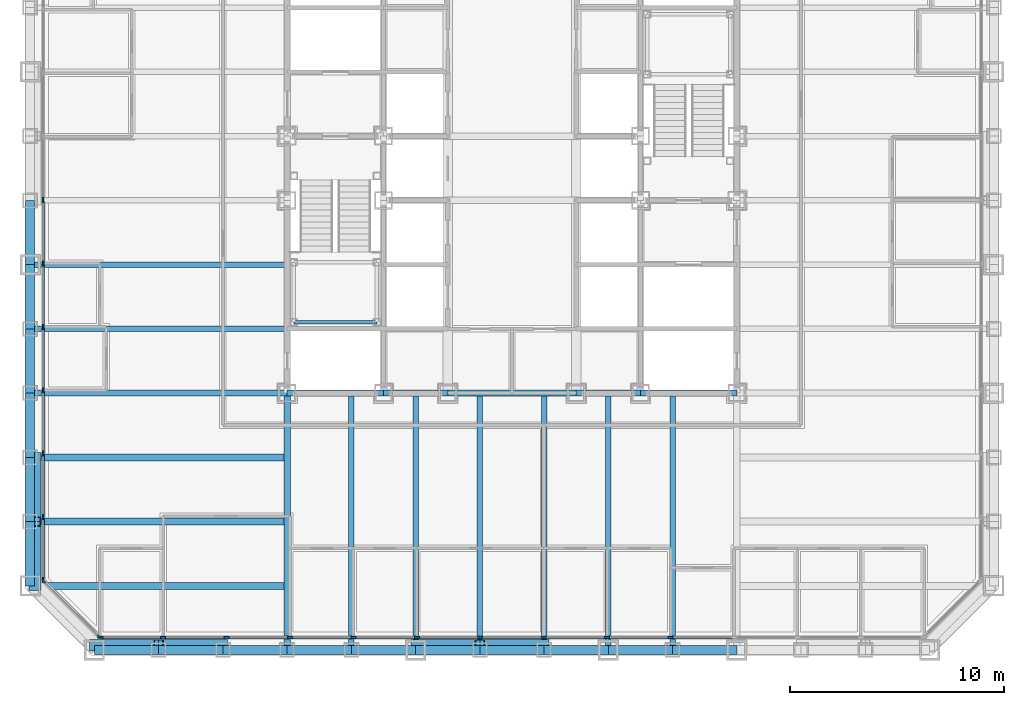
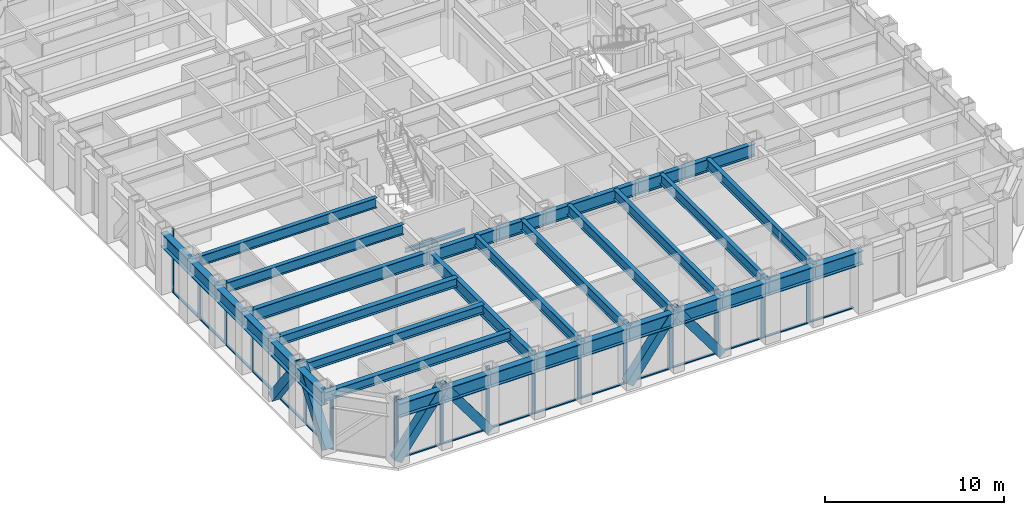
# One storey, part 2 of 16: 41 members, 35 beams, 3 elements without a shape of their own.
"""IFC4 building model written with IfcOpenShell, lengths in metres."""

from ifc_helpers import new_model, si_unit, direction, frame, origin, origin_2d, place, context, subcontext, project, spatial, rectangle, hollow_rectangle, i_section, extrude, material, layer, layer_set, material_profile, profile_set, type_object, element, aggregate, save


model = new_model("IFC4")

# Units and contexts
model_context = context("Model", 3, precision=1e-05, world=origin(), true_north=direction((0.0, 1.0)))
body_context = subcontext(model_context, "Body", "Model", "MODEL_VIEW")
ifc_project = project(units=[si_unit("LENGTHUNIT", "METRE"), si_unit("AREAUNIT", "SQUARE_METRE"), si_unit("VOLUMEUNIT", "CUBIC_METRE"), si_unit("PLANEANGLEUNIT", "RADIAN"), si_unit("MASSUNIT", "GRAM", prefix="KILO")], contexts=[model_context])

# Site, building, storey
site_placement = place(None, origin())
site = spatial("IfcSite", under=ifc_project, at=site_placement, CompositionType="ELEMENT")
building_placement = place(site_placement, origin())
building = spatial("IfcBuilding", under=site, at=building_placement, Name="Chuquiago Exchange Tower", CompositionType="ELEMENT")
storey_placement = place(building_placement, frame((0.0, 0.0, 55.800048828125)))
storey = spatial("IfcBuildingStorey", under=building, at=storey_placement, Name="L11", CompositionType="ELEMENT", Elevation=55.800048828125)

# Beams
ifc_material_1 = material(Name="Steel ASTM A992", Category="steel")
ifc_material_profile_1 = material_profile(ifc_material_1, i_section(OverallWidth=0.2919921875, OverallDepth=0.8583984375, WebThickness=0.01708984375, FlangeThickness=0.031005859375, at=origin_2d()), Name="W33X169")
ifc_profile_set_1 = profile_set([ifc_material_profile_1], Name="Steel ASTM A992")
beam_type_1 = type_object("IfcBeamType", Name="B3 W33X169", PredefinedType="BEAM", material=ifc_profile_set_1)
beam_1_placement = place(storey_placement, frame((12.0, 12.0, 3.610595703125), z_axis=(1.0, 0.0, 0.0), x_axis=(0.0, 1.0, 0.0)))
element("IfcBeam", 1, at=beam_1_placement, inside=storey, type_object=beam_type_1, Name="CB-L12-12_12-16.5_12", PredefinedType="BEAM", context=body_context, shape_type="SweptSolid", body=[
    extrude(i_section(OverallWidth=0.2919921875, OverallDepth=0.8583984375, WebThickness=0.01708984375, FlangeThickness=0.031005859375, at=origin_2d()), origin(), (0.0, 0.0, 1.0), 4.5),
])
beam_2_placement = place(storey_placement, frame((16.5, 12.0, 3.610595703125), z_axis=(1.0, 0.0, 0.0), x_axis=(0.0, 1.0, 0.0)))
element("IfcBeam", 2, at=beam_2_placement, inside=storey, type_object=beam_type_1, Name="CB-L12-16.5_12-19.5_12", PredefinedType="BEAM", context=body_context, shape_type="SweptSolid", body=[
    extrude(i_section(OverallWidth=0.2919921875, OverallDepth=0.8583984375, WebThickness=0.01708984375, FlangeThickness=0.031005859375, at=origin_2d()), origin(), (0.0, 0.0, 1.0), 3.0),
])
beam_3_placement = place(storey_placement, frame((19.5, 12.0, 3.610595703125), z_axis=(1.0, 0.0, 0.0), x_axis=(0.0, 1.0, 0.0)))
element("IfcBeam", 3, at=beam_3_placement, inside=storey, type_object=beam_type_1, Name="CB-L12-19.5_12-25.5_12", PredefinedType="BEAM", context=body_context, shape_type="SweptSolid", body=[
    extrude(i_section(OverallWidth=0.2919921875, OverallDepth=0.8583984375, WebThickness=0.01708984375, FlangeThickness=0.031005859375, at=origin_2d()), origin(), (0.0, 0.0, 1.0), 6.0),
])
beam_4_placement = place(storey_placement, frame((25.5, 12.0, 3.610595703125), z_axis=(1.0, 0.0, 0.0), x_axis=(0.0, 1.0, 0.0)))
element("IfcBeam", 4, at=beam_4_placement, inside=storey, type_object=beam_type_1, Name="CB-L12-25.5_12-28.5_12", PredefinedType="BEAM", context=body_context, shape_type="SweptSolid", body=[
    extrude(i_section(OverallWidth=0.2919921875, OverallDepth=0.8583984375, WebThickness=0.01708984375, FlangeThickness=0.031005859375, at=origin_2d()), origin(), (0.0, 0.0, 1.0), 3.0),
])
beam_5_placement = place(storey_placement, frame((28.5, 12.0, 3.610595703125), z_axis=(1.0, 0.0, 0.0), x_axis=(0.0, 1.0, 0.0)))
element("IfcBeam", 5, at=beam_5_placement, inside=storey, type_object=beam_type_1, Name="CB-L12-28.5_12-33_12", PredefinedType="BEAM", context=body_context, shape_type="SweptSolid", body=[
    extrude(i_section(OverallWidth=0.2919921875, OverallDepth=0.8583984375, WebThickness=0.01708984375, FlangeThickness=0.031005859375, at=origin_2d()), origin(), (0.0, 0.0, 1.0), 4.5),
])
ifc_material_2 = material(Name="Steel ASTM A992", Category="steel")
ifc_material_profile_2 = material_profile(ifc_material_2, i_section(OverallWidth=0.256591796875, OverallDepth=0.693359375, WebThickness=0.014404296875, FlangeThickness=0.023681640625, at=origin_2d()), Name="W27X114")
ifc_profile_set_2 = profile_set([ifc_material_profile_2], Name="Steel ASTM A992")
beam_type_2 = type_object("IfcBeamType", Name="B4 W27X114", PredefinedType="BEAM", material=ifc_profile_set_2)
for number, where, z_axis, x_axis, name in (
    (6, (15.0, 12.0, 3.693359375), (0.0, -1.0, 0.0), (1.0, 0.0, 0.0), "FB-L12-infill-15_12-15_-0-0"),
    (7, (18.0, 12.0, 3.693359375), (0.0, -1.0, 0.0), (1.0, 0.0, 0.0), "FB-L12-infill-18_12-18_-0-0"),
    (8, (21.0, 12.0, 3.693359375), (0.0, -1.0, 0.0), (1.0, 0.0, 0.0), "FB-L12-infill-21_12-21_-0-0"),
    (9, (24.0, 12.0, 3.693359375), (0.0, -1.0, 0.0), (1.0, 0.0, 0.0), "FB-L12-infill-24_12-24_-0-0"),
    (10, (27.0, 12.0, 3.693359375), (0.0, -1.0, 0.0), (1.0, 0.0, 0.0), "FB-L12-infill-27_12-27_-0-0"),
    (11, (30.0, 12.0, 3.693359375), (0.0, -1.0, 0.0), (1.0, 0.0, 0.0), "FB-L12-infill-30_12-30_-0-0"),
    (12, (12.0, 15.0, 3.693359375), (-1.0, 0.0, 0.0), (0.0, -1.0, 0.0), "FB-L12-infill-12_15--0_15-0"),
    (13, (12.0, 18.0, 3.693359375), (-1.0, 0.0, 0.0), (0.0, -1.0, 0.0), "FB-L12-infill-12_18--0_18-0"),
):
    element("IfcBeam", number, at=place(storey_placement, frame(where, z_axis=z_axis, x_axis=x_axis)), inside=storey, type_object=beam_type_2, Name=name, PredefinedType="BEAM", context=body_context, shape_type="SweptSolid", body=[
        extrude(i_section(OverallWidth=0.256591796875, OverallDepth=0.693359375, WebThickness=0.014404296875, FlangeThickness=0.023681640625, at=origin_2d()), origin(), (0.0, 0.0, 1.0), 12.0),
    ])
ifc_material_3 = material(Name="Steel ASTM A992", Category="steel")
ifc_material_profile_3 = material_profile(ifc_material_3, i_section(OverallWidth=0.3251953125, OverallDepth=0.6171875, WebThickness=0.013916015625, FlangeThickness=0.021484375, at=origin_2d()), Name="W24X117")
ifc_profile_set_3 = profile_set([ifc_material_profile_3], Name="Steel ASTM A992")
beam_type_3 = type_object("IfcBeamType", Name="B5 W24X117", PredefinedType="BEAM", material=ifc_profile_set_3)
for number, where, z_axis, x_axis, name in (
    (14, (12.0, 3.0, 3.7314453125), (-1.0, 0.0, 0.0), (0.0, -1.0, 0.0), "FB-L12-corner-12_3--0_3-0"),
    (15, (12.0, 6.0, 3.7314453125), (-1.0, 0.0, 0.0), (0.0, -1.0, 0.0), "FB-L12-corner-12_6--0_6-0"),
    (16, (12.0, 9.0, 3.7314453125), (-1.0, 0.0, 0.0), (0.0, -1.0, 0.0), "FB-L12-corner-12_9--0_9-0"),
):
    element("IfcBeam", number, at=place(storey_placement, frame(where, z_axis=z_axis, x_axis=x_axis)), inside=storey, type_object=beam_type_3, Name=name, PredefinedType="BEAM", context=body_context, shape_type="SweptSolid", body=[
        extrude(i_section(OverallWidth=0.3251953125, OverallDepth=0.6171875, WebThickness=0.013916015625, FlangeThickness=0.021484375, at=origin_2d()), origin(), (0.0, 0.0, 1.0), 12.0),
    ])

# Curtain wall, members
ifc_material_4 = material(Name="Aluminium curtain wall system", Category="aluminium")
ifc_layer_1 = layer(ifc_material_4, 0.25)
ifc_layer_set_1 = layer_set([ifc_layer_1], Name="CW1 trading floor curtain wall")
curtain_wall_type_1 = type_object("IfcCurtainWallType", Name="CW1 trading floor curtain wall", PredefinedType="NOTDEFINED", material=ifc_layer_set_1)
curtain_wall_1_placement = place(storey_placement, origin())
curtain_wall_1 = element("IfcCurtainWall", 17, at=curtain_wall_1_placement, inside=storey, type_object=curtain_wall_type_1, Name="CW1 curtain wall L11", PredefinedType="NOTDEFINED")
ifc_material_5 = material(Name="Aluminium mullion, pale anodised", Category="aluminium")
ifc_material_profile_4 = material_profile(ifc_material_5, rectangle(XDim=0.074951171875, YDim=0.25, at=origin_2d()), Name="AL 75x250")
ifc_profile_set_4 = profile_set([ifc_material_profile_4], Name="Aluminium mullion, pale anodised")
member_type_1 = type_object("IfcMemberType", Name="CW1-M mullion 75x250", PredefinedType="MULLION", material=ifc_profile_set_4)
member_1_placement = place(storey_placement, frame((3.285888671875, 0.60009765625, -0.300048828125), z_axis=(0.0, 0.0, 1.0), x_axis=(0.0, 1.0, 0.0)))
member_1 = element("IfcMember", 18, at=member_1_placement, type_object=member_type_1, Name="CW1 mullion 1", PredefinedType="MULLION", context=body_context, shape_type="SweptSolid", body=[
    extrude(rectangle(XDim=0.074951171875, YDim=0.25, at=origin_2d()), origin(), (0.0, 0.0, 1.0), 4.340087890625),
])
member_2_placement = place(storey_placement, frame((6.210205078125, 0.60009765625, -0.300048828125), z_axis=(0.0, 0.0, 1.0), x_axis=(0.0, 1.0, 0.0)))
member_2 = element("IfcMember", 19, at=member_2_placement, type_object=member_type_1, Name="CW1 mullion 2", PredefinedType="MULLION", context=body_context, shape_type="SweptSolid", body=[
    extrude(rectangle(XDim=0.074951171875, YDim=0.25, at=origin_2d()), origin(), (0.0, 0.0, 1.0), 4.340087890625),
])
member_3_placement = place(storey_placement, frame((9.172119140625, 0.60009765625, -0.300048828125), z_axis=(0.0, 0.0, 1.0), x_axis=(0.0, 1.0, 0.0)))
member_3 = element("IfcMember", 20, at=member_3_placement, type_object=member_type_1, Name="CW1 mullion 3", PredefinedType="MULLION", context=body_context, shape_type="SweptSolid", body=[
    extrude(rectangle(XDim=0.074951171875, YDim=0.25, at=origin_2d()), origin(), (0.0, 0.0, 1.0), 4.340087890625),
])
member_4_placement = place(storey_placement, frame((12.1337890625, 0.60009765625, -0.300048828125), z_axis=(0.0, 0.0, 1.0), x_axis=(0.0, 1.0, 0.0)))
member_4 = element("IfcMember", 21, at=member_4_placement, type_object=member_type_1, Name="CW1 mullion 4", PredefinedType="MULLION", context=body_context, shape_type="SweptSolid", body=[
    extrude(rectangle(XDim=0.074951171875, YDim=0.25, at=origin_2d()), origin(), (0.0, 0.0, 1.0), 4.340087890625),
])
member_5_placement = place(storey_placement, frame((15.095458984375, 0.60009765625, -0.300048828125), z_axis=(0.0, 0.0, 1.0), x_axis=(0.0, 1.0, 0.0)))
member_5 = element("IfcMember", 22, at=member_5_placement, type_object=member_type_1, Name="CW1 mullion 5", PredefinedType="MULLION", context=body_context, shape_type="SweptSolid", body=[
    extrude(rectangle(XDim=0.074951171875, YDim=0.25, at=origin_2d()), origin(), (0.0, 0.0, 1.0), 4.340087890625),
])
member_6_placement = place(storey_placement, frame((18.057373046875, 0.60009765625, -0.300048828125), z_axis=(0.0, 0.0, 1.0), x_axis=(0.0, 1.0, 0.0)))
member_6 = element("IfcMember", 23, at=member_6_placement, type_object=member_type_1, Name="CW1 mullion 6", PredefinedType="MULLION", context=body_context, shape_type="SweptSolid", body=[
    extrude(rectangle(XDim=0.074951171875, YDim=0.25, at=origin_2d()), origin(), (0.0, 0.0, 1.0), 4.340087890625),
])
member_7_placement = place(storey_placement, frame((21.01904296875, 0.60009765625, -0.300048828125), z_axis=(0.0, 0.0, 1.0), x_axis=(0.0, 1.0, 0.0)))
member_7 = element("IfcMember", 24, at=member_7_placement, type_object=member_type_1, Name="CW1 mullion 7", PredefinedType="MULLION", context=body_context, shape_type="SweptSolid", body=[
    extrude(rectangle(XDim=0.074951171875, YDim=0.25, at=origin_2d()), origin(), (0.0, 0.0, 1.0), 4.340087890625),
])
member_8_placement = place(storey_placement, frame((23.98095703125, 0.60009765625, -0.300048828125), z_axis=(0.0, 0.0, 1.0), x_axis=(0.0, 1.0, 0.0)))
member_8 = element("IfcMember", 25, at=member_8_placement, type_object=member_type_1, Name="CW1 mullion 8", PredefinedType="MULLION", context=body_context, shape_type="SweptSolid", body=[
    extrude(rectangle(XDim=0.074951171875, YDim=0.25, at=origin_2d()), origin(), (0.0, 0.0, 1.0), 4.340087890625),
])
member_9_placement = place(storey_placement, frame((26.942626953125, 0.60009765625, -0.300048828125), z_axis=(0.0, 0.0, 1.0), x_axis=(0.0, 1.0, 0.0)))
member_9 = element("IfcMember", 26, at=member_9_placement, type_object=member_type_1, Name="CW1 mullion 9", PredefinedType="MULLION", context=body_context, shape_type="SweptSolid", body=[
    extrude(rectangle(XDim=0.074951171875, YDim=0.25, at=origin_2d()), origin(), (0.0, 0.0, 1.0), 4.340087890625),
])
member_10_placement = place(storey_placement, frame((29.904541015625, 0.60009765625, -0.300048828125), z_axis=(0.0, 0.0, 1.0), x_axis=(0.0, 1.0, 0.0)))
member_10 = element("IfcMember", 27, at=member_10_placement, type_object=member_type_1, Name="CW1 mullion 10", PredefinedType="MULLION", context=body_context, shape_type="SweptSolid", body=[
    extrude(rectangle(XDim=0.074951171875, YDim=0.25, at=origin_2d()), origin(), (0.0, 0.0, 1.0), 4.340087890625),
])

curtain_wall_2_placement = place(storey_placement, origin())
curtain_wall_2 = element("IfcCurtainWall", 28, at=curtain_wall_2_placement, inside=storey, type_object=curtain_wall_type_1, Name="CW1 curtain wall L11", PredefinedType="NOTDEFINED")
member_11_placement = place(storey_placement, frame((0.60009765625, 21.01904296875, -0.300048828125), z_axis=(0.0, 0.0, 1.0), x_axis=(1.0, 0.0, 0.0)))
member_11 = element("IfcMember", 29, at=member_11_placement, type_object=member_type_1, Name="CW1 mullion 8", PredefinedType="MULLION", context=body_context, shape_type="SweptSolid", body=[
    extrude(rectangle(XDim=0.074951171875, YDim=0.25, at=origin_2d()), origin(), (0.0, 0.0, 1.0), 4.340087890625),
])
member_12_placement = place(storey_placement, frame((0.60009765625, 18.057373046875, -0.300048828125), z_axis=(0.0, 0.0, 1.0), x_axis=(1.0, 0.0, 0.0)))
member_12 = element("IfcMember", 30, at=member_12_placement, type_object=member_type_1, Name="CW1 mullion 9", PredefinedType="MULLION", context=body_context, shape_type="SweptSolid", body=[
    extrude(rectangle(XDim=0.074951171875, YDim=0.25, at=origin_2d()), origin(), (0.0, 0.0, 1.0), 4.340087890625),
])
member_13_placement = place(storey_placement, frame((0.60009765625, 15.095458984375, -0.300048828125), z_axis=(0.0, 0.0, 1.0), x_axis=(1.0, 0.0, 0.0)))
member_13 = element("IfcMember", 31, at=member_13_placement, type_object=member_type_1, Name="CW1 mullion 10", PredefinedType="MULLION", context=body_context, shape_type="SweptSolid", body=[
    extrude(rectangle(XDim=0.074951171875, YDim=0.25, at=origin_2d()), origin(), (0.0, 0.0, 1.0), 4.340087890625),
])
member_14_placement = place(storey_placement, frame((0.60009765625, 12.1337890625, -0.300048828125), z_axis=(0.0, 0.0, 1.0), x_axis=(1.0, 0.0, 0.0)))
member_14 = element("IfcMember", 32, at=member_14_placement, type_object=member_type_1, Name="CW1 mullion 11", PredefinedType="MULLION", context=body_context, shape_type="SweptSolid", body=[
    extrude(rectangle(XDim=0.074951171875, YDim=0.25, at=origin_2d()), origin(), (0.0, 0.0, 1.0), 4.340087890625),
])
member_15_placement = place(storey_placement, frame((0.60009765625, 9.172119140625, -0.300048828125), z_axis=(0.0, 0.0, 1.0), x_axis=(1.0, 0.0, 0.0)))
member_15 = element("IfcMember", 33, at=member_15_placement, type_object=member_type_1, Name="CW1 mullion 12", PredefinedType="MULLION", context=body_context, shape_type="SweptSolid", body=[
    extrude(rectangle(XDim=0.074951171875, YDim=0.25, at=origin_2d()), origin(), (0.0, 0.0, 1.0), 4.340087890625),
])
member_16_placement = place(storey_placement, frame((0.60009765625, 6.210205078125, -0.300048828125), z_axis=(0.0, 0.0, 1.0), x_axis=(1.0, 0.0, 0.0)))
member_16 = element("IfcMember", 34, at=member_16_placement, type_object=member_type_1, Name="CW1 mullion 13", PredefinedType="MULLION", context=body_context, shape_type="SweptSolid", body=[
    extrude(rectangle(XDim=0.074951171875, YDim=0.25, at=origin_2d()), origin(), (0.0, 0.0, 1.0), 4.340087890625),
])
member_17_placement = place(storey_placement, frame((0.60009765625, 3.285888671875, -0.300048828125), z_axis=(0.0, 0.0, 1.0), x_axis=(1.0, 0.0, 0.0)))
member_17 = element("IfcMember", 35, at=member_17_placement, type_object=member_type_1, Name="CW1 mullion 14", PredefinedType="MULLION", context=body_context, shape_type="SweptSolid", body=[
    extrude(rectangle(XDim=0.074951171875, YDim=0.25, at=origin_2d()), origin(), (0.0, 0.0, 1.0), 4.340087890625),
])

# Member
ifc_material_6 = material(Name="Aluminium transom, pale anodised", Category="aluminium")
ifc_material_profile_5 = material_profile(ifc_material_6, rectangle(XDim=0.14990234375, YDim=0.074951171875, at=origin_2d()), Name="AL 150x75")
ifc_profile_set_5 = profile_set([ifc_material_profile_5], Name="Aluminium transom, pale anodised")
member_type_2 = type_object("IfcMemberType", Name="CW1-T transom 75x150", PredefinedType="MULLION", material=ifc_profile_set_5)
member_18_placement = place(storey_placement, frame((3.323486328125, 0.60009765625, -0.262451171875), z_axis=(1.0, 0.0, 0.0), x_axis=(0.0, 1.0, 0.0)))
member_18 = element("IfcMember", 36, at=member_18_placement, type_object=member_type_2, Name="CW1 transom 1.1", PredefinedType="MULLION", context=body_context, shape_type="SweptSolid", body=[
    extrude(rectangle(XDim=0.14990234375, YDim=0.074951171875, at=origin_2d()), origin(), (0.0, 0.0, 1.0), 2.849365234375),
])

member_19_placement = place(storey_placement, frame((6.247802734375, 0.60009765625, -0.262451171875), z_axis=(1.0, 0.0, 0.0), x_axis=(0.0, 1.0, 0.0)))
member_19 = element("IfcMember", 37, at=member_19_placement, type_object=member_type_2, Name="CW1 transom 2.1", PredefinedType="MULLION", context=body_context, shape_type="SweptSolid", body=[
    extrude(rectangle(XDim=0.14990234375, YDim=0.074951171875, at=origin_2d()), origin(), (0.0, 0.0, 1.0), 2.88671875),
])

member_20_placement = place(storey_placement, frame((9.20947265625, 0.60009765625, -0.262451171875), z_axis=(1.0, 0.0, 0.0), x_axis=(0.0, 1.0, 0.0)))
member_20 = element("IfcMember", 38, at=member_20_placement, type_object=member_type_2, Name="CW1 transom 3.1", PredefinedType="MULLION", context=body_context, shape_type="SweptSolid", body=[
    extrude(rectangle(XDim=0.14990234375, YDim=0.074951171875, at=origin_2d()), origin(), (0.0, 0.0, 1.0), 2.88671875),
])

member_21_placement = place(storey_placement, frame((12.17138671875, 0.60009765625, -0.262451171875), z_axis=(1.0, 0.0, 0.0), x_axis=(0.0, 1.0, 0.0)))
member_21 = element("IfcMember", 39, at=member_21_placement, type_object=member_type_2, Name="CW1 transom 4.1", PredefinedType="MULLION", context=body_context, shape_type="SweptSolid", body=[
    extrude(rectangle(XDim=0.14990234375, YDim=0.074951171875, at=origin_2d()), origin(), (0.0, 0.0, 1.0), 2.88671875),
])

member_22_placement = place(storey_placement, frame((15.133056640625, 0.60009765625, -0.262451171875), z_axis=(1.0, 0.0, 0.0), x_axis=(0.0, 1.0, 0.0)))
member_22 = element("IfcMember", 40, at=member_22_placement, type_object=member_type_2, Name="CW1 transom 5.1", PredefinedType="MULLION", context=body_context, shape_type="SweptSolid", body=[
    extrude(rectangle(XDim=0.14990234375, YDim=0.074951171875, at=origin_2d()), origin(), (0.0, 0.0, 1.0), 2.88671875),
])

member_23_placement = place(storey_placement, frame((18.0947265625, 0.60009765625, -0.262451171875), z_axis=(1.0, 0.0, 0.0), x_axis=(0.0, 1.0, 0.0)))
member_23 = element("IfcMember", 41, at=member_23_placement, type_object=member_type_2, Name="CW1 transom 6.1", PredefinedType="MULLION", context=body_context, shape_type="SweptSolid", body=[
    extrude(rectangle(XDim=0.14990234375, YDim=0.074951171875, at=origin_2d()), origin(), (0.0, 0.0, 1.0), 2.886962890625),
])

member_24_placement = place(storey_placement, frame((21.056640625, 0.60009765625, -0.262451171875), z_axis=(1.0, 0.0, 0.0), x_axis=(0.0, 1.0, 0.0)))
member_24 = element("IfcMember", 42, at=member_24_placement, type_object=member_type_2, Name="CW1 transom 7.1", PredefinedType="MULLION", context=body_context, shape_type="SweptSolid", body=[
    extrude(rectangle(XDim=0.14990234375, YDim=0.074951171875, at=origin_2d()), origin(), (0.0, 0.0, 1.0), 2.88671875),
])

member_25_placement = place(storey_placement, frame((24.018310546875, 0.60009765625, -0.262451171875), z_axis=(1.0, 0.0, 0.0), x_axis=(0.0, 1.0, 0.0)))
member_25 = element("IfcMember", 43, at=member_25_placement, type_object=member_type_2, Name="CW1 transom 8.1", PredefinedType="MULLION", context=body_context, shape_type="SweptSolid", body=[
    extrude(rectangle(XDim=0.14990234375, YDim=0.074951171875, at=origin_2d()), origin(), (0.0, 0.0, 1.0), 2.886962890625),
])

member_26_placement = place(storey_placement, frame((26.980224609375, 0.60009765625, -0.262451171875), z_axis=(1.0, 0.0, 0.0), x_axis=(0.0, 1.0, 0.0)))
member_26 = element("IfcMember", 44, at=member_26_placement, type_object=member_type_2, Name="CW1 transom 9.1", PredefinedType="MULLION", context=body_context, shape_type="SweptSolid", body=[
    extrude(rectangle(XDim=0.14990234375, YDim=0.074951171875, at=origin_2d()), origin(), (0.0, 0.0, 1.0), 2.88671875),
])

member_27_placement = place(storey_placement, frame((29.94189453125, 0.60009765625, -0.262451171875), z_axis=(1.0, 0.0, 0.0), x_axis=(0.0, 1.0, 0.0)))
member_27 = element("IfcMember", 45, at=member_27_placement, type_object=member_type_2, Name="CW1 transom 10.1", PredefinedType="MULLION", context=body_context, shape_type="SweptSolid", body=[
    extrude(rectangle(XDim=0.14990234375, YDim=0.074951171875, at=origin_2d()), origin(), (0.0, 0.0, 1.0), 2.88671875),
])

aggregate(curtain_wall_1, [member_1, member_2, member_3, member_4, member_5, member_6, member_7, member_8, member_9, member_10, member_18, member_19, member_20, member_21, member_22, member_23, member_24, member_25, member_26, member_27])

member_28_placement = place(storey_placement, frame((0.60009765625, 20.981689453125, -0.262451171875), z_axis=(0.0, -1.0, 0.0), x_axis=(1.0, 0.0, 0.0)))
member_28 = element("IfcMember", 46, at=member_28_placement, type_object=member_type_2, Name="CW1 transom 8.1", PredefinedType="MULLION", context=body_context, shape_type="SweptSolid", body=[
    extrude(rectangle(XDim=0.14990234375, YDim=0.074951171875, at=origin_2d()), origin(), (0.0, 0.0, 1.0), 2.886962890625),
])

member_29_placement = place(storey_placement, frame((0.60009765625, 18.019775390625, -0.262451171875), z_axis=(0.0, -1.0, 0.0), x_axis=(1.0, 0.0, 0.0)))
member_29 = element("IfcMember", 47, at=member_29_placement, type_object=member_type_2, Name="CW1 transom 9.1", PredefinedType="MULLION", context=body_context, shape_type="SweptSolid", body=[
    extrude(rectangle(XDim=0.14990234375, YDim=0.074951171875, at=origin_2d()), origin(), (0.0, 0.0, 1.0), 2.88671875),
])

member_30_placement = place(storey_placement, frame((0.60009765625, 15.05810546875, -0.262451171875), z_axis=(0.0, -1.0, 0.0), x_axis=(1.0, 0.0, 0.0)))
member_30 = element("IfcMember", 48, at=member_30_placement, type_object=member_type_2, Name="CW1 transom 10.1", PredefinedType="MULLION", context=body_context, shape_type="SweptSolid", body=[
    extrude(rectangle(XDim=0.14990234375, YDim=0.074951171875, at=origin_2d()), origin(), (0.0, 0.0, 1.0), 2.88671875),
])

member_31_placement = place(storey_placement, frame((0.60009765625, 12.09619140625, -0.262451171875), z_axis=(0.0, -1.0, 0.0), x_axis=(1.0, 0.0, 0.0)))
member_31 = element("IfcMember", 49, at=member_31_placement, type_object=member_type_2, Name="CW1 transom 11.1", PredefinedType="MULLION", context=body_context, shape_type="SweptSolid", body=[
    extrude(rectangle(XDim=0.14990234375, YDim=0.074951171875, at=origin_2d()), origin(), (0.0, 0.0, 1.0), 2.88671875),
])

member_32_placement = place(storey_placement, frame((0.60009765625, 9.134521484375, -0.262451171875), z_axis=(0.0, -1.0, 0.0), x_axis=(1.0, 0.0, 0.0)))
member_32 = element("IfcMember", 50, at=member_32_placement, type_object=member_type_2, Name="CW1 transom 12.1", PredefinedType="MULLION", context=body_context, shape_type="SweptSolid", body=[
    extrude(rectangle(XDim=0.14990234375, YDim=0.074951171875, at=origin_2d()), origin(), (0.0, 0.0, 1.0), 2.88671875),
])

member_33_placement = place(storey_placement, frame((0.60009765625, 6.1728515625, -0.262451171875), z_axis=(0.0, -1.0, 0.0), x_axis=(1.0, 0.0, 0.0)))
member_33 = element("IfcMember", 51, at=member_33_placement, type_object=member_type_2, Name="CW1 transom 13.1", PredefinedType="MULLION", context=body_context, shape_type="SweptSolid", body=[
    extrude(rectangle(XDim=0.14990234375, YDim=0.074951171875, at=origin_2d()), origin(), (0.0, 0.0, 1.0), 2.849365234375),
])

aggregate(curtain_wall_2, [member_11, member_12, member_13, member_14, member_15, member_16, member_17, member_28, member_29, member_30, member_31, member_32, member_33])

# Curtain wall, members
ifc_material_7 = material(Name="Aluminium curtain wall system", Category="aluminium")
ifc_layer_2 = layer(ifc_material_7, 0.199951171875)
ifc_layer_set_2 = layer_set([ifc_layer_2], Name="CW3 facet curtain wall")
curtain_wall_type_2 = type_object("IfcCurtainWallType", Name="CW3 facet curtain wall", PredefinedType="NOTDEFINED", material=ifc_layer_set_2)
curtain_wall_3_placement = place(storey_placement, origin())
curtain_wall_3 = element("IfcCurtainWall", 52, at=curtain_wall_3_placement, inside=storey, type_object=curtain_wall_type_2, Name="CW3 curtain wall L11", PredefinedType="NOTDEFINED")
ifc_material_8 = material(Name="Aluminium mullion, pale anodised", Category="aluminium")
ifc_material_profile_6 = material_profile(ifc_material_8, rectangle(XDim=0.06494140625, YDim=0.199951171875, at=origin_2d()), Name="AL 65x200")
ifc_profile_set_6 = profile_set([ifc_material_profile_6], Name="Aluminium mullion, pale anodised")
member_type_3 = type_object("IfcMemberType", Name="CW3-M mullion 65x200", PredefinedType="MULLION", material=ifc_profile_set_6)
member_34_placement = place(storey_placement, frame((0.623046875, 3.2255859375, -0.300048828125), z_axis=(0.0, 0.0, 1.0), x_axis=(0.707106781187, 0.707106781187, 0.0)))
member_34 = element("IfcMember", 53, at=member_34_placement, type_object=member_type_3, Name="CW3 mullion 1", PredefinedType="MULLION", context=body_context, shape_type="SweptSolid", body=[
    extrude(rectangle(XDim=0.06494140625, YDim=0.199951171875, at=origin_2d()), origin(), (0.0, 0.0, 1.0), 4.340087890625),
])
member_35_placement = place(storey_placement, frame((3.2255859375, 0.623046875, -0.300048828125), z_axis=(0.0, 0.0, 1.0), x_axis=(0.707106781187, 0.707106781187, 0.0)))
member_35 = element("IfcMember", 54, at=member_35_placement, type_object=member_type_3, Name="CW3 mullion 2", PredefinedType="MULLION", context=body_context, shape_type="SweptSolid", body=[
    extrude(rectangle(XDim=0.06494140625, YDim=0.199951171875, at=origin_2d()), origin(), (0.0, 0.0, 1.0), 4.340087890625),
])
aggregate(curtain_wall_3, [member_34, member_35])

# Beams
ifc_material_9 = material(Name="Steel ASTM A992", Category="steel")
ifc_material_profile_7 = material_profile(ifc_material_9, i_section(OverallWidth=0.2919921875, OverallDepth=0.8583984375, WebThickness=0.01708984375, FlangeThickness=0.031005859375, at=origin_2d()), Name="W33X169")
ifc_profile_set_7 = profile_set([ifc_material_profile_7], Name="Steel ASTM A992")
beam_type_4 = type_object("IfcBeamType", Name="G2 W33X169", PredefinedType="BEAM", material=ifc_profile_set_7)
for number, where, z_axis, x_axis, name in (
    (55, (12.0, 12.0, 3.610595703125), (0.0, -1.0, 0.0), (1.0, 0.0, 0.0), "FB-L12-girder-12_12-12_-0-0"),
    (56, (12.0, 12.0, 3.610595703125), (-1.0, 0.0, 0.0), (0.0, -1.0, 0.0), "FB-L12-girder-12_12--0_12-0"),
):
    element("IfcBeam", number, at=place(storey_placement, frame(where, z_axis=z_axis, x_axis=x_axis)), inside=storey, type_object=beam_type_4, Name=name, PredefinedType="BEAM", context=body_context, shape_type="SweptSolid", body=[
        extrude(i_section(OverallWidth=0.2919921875, OverallDepth=0.8583984375, WebThickness=0.01708984375, FlangeThickness=0.031005859375, at=origin_2d()), origin(), (0.0, 0.0, 1.0), 12.0),
    ])
ifc_material_10 = material(Name="Steel ASTM A992", Category="steel")
ifc_material_profile_8 = material_profile(ifc_material_10, i_section(OverallWidth=0.164794921875, OverallDepth=0.309814453125, WebThickness=0.005859375, FlangeThickness=0.009765625, at=origin_2d()), Name="W12X26")
ifc_profile_set_8 = profile_set([ifc_material_profile_8], Name="Steel ASTM A992")
beam_type_5 = type_object("IfcBeamType", Name="LT1 W12X26", PredefinedType="BEAM", material=ifc_profile_set_8)
beam_6_placement = place(storey_placement, frame((12.31005859375, 15.31005859375, 1.89501953125), z_axis=(1.0, 0.0, 0.0), x_axis=(0.0, 1.0, 0.0)))
element("IfcBeam", 57, at=beam_6_placement, inside=storey, type_object=beam_type_5, Name="Stair ST1 L11 landing 1 trimmer", PredefinedType="BEAM", context=body_context, shape_type="SweptSolid", body=[
    extrude(i_section(OverallWidth=0.164794921875, OverallDepth=0.309814453125, WebThickness=0.005859375, FlangeThickness=0.009765625, at=origin_2d()), origin(), (0.0, 0.0, 1.0), 3.8798828125),
])

# Members
ifc_material_11 = material(Name="Steel ASTM A572 Grade 50", Category="steel")
ifc_material_profile_9 = material_profile(ifc_material_11, hollow_rectangle(XDim=0.550048828125, YDim=0.550048828125, WallThickness=0.044921875, at=origin_2d()), Name="BOX550X550X45")
ifc_profile_set_9 = profile_set([ifc_material_profile_9], Name="Steel ASTM A572 Grade 50")
member_type_4 = type_object("IfcMemberType", Name="MB1 BOX550X550X45", PredefinedType="BRACE", material=ifc_profile_set_9)
for number, where, z_axis, x_axis, name in (
    (58, (3.0, 0.22998046875, 0.0), (0.596173923302, 0.0, 0.802855312728), (0.0, 1.0, 0.0), "Mega diagonal L11 S face"),
    (59, (9.0, 0.22998046875, 0.0), (-0.596173923302, 0.0, 0.802855312728), (0.0, -1.0, 0.0), "Mega diagonal L11 S face"),
    (60, (18.0, 0.22998046875, 0.0), (0.596173923302, 0.0, 0.802855312728), (0.0, 1.0, 0.0), "Mega diagonal L11 S face"),
    (61, (24.0, 0.22998046875, 0.0), (-0.596173923302, 0.0, 0.802855312728), (0.0, -1.0, 0.0), "Mega diagonal L11 S face"),
    (62, (0.22998046875, 9.0, 0.0), (0.0, -0.596173923302, 0.802855312728), (1.0, 0.0, 0.0), "Mega diagonal L11 W face"),
    (63, (0.22998046875, 3.0, 0.0), (0.0, 0.596173923302, 0.802855312728), (-1.0, 0.0, 0.0), "Mega diagonal L11 W face"),
):
    element("IfcMember", number, at=place(storey_placement, frame(where, z_axis=z_axis, x_axis=x_axis)), inside=storey, type_object=member_type_4, Name=name, PredefinedType="BRACE", context=body_context, shape_type="SweptSolid", body=[
        extrude(hollow_rectangle(XDim=0.550048828125, YDim=0.550048828125, WallThickness=0.044921875, at=origin_2d()), origin(), (0.0, 0.0, 1.0), 5.031982421875),
    ])

# Beams
ifc_material_12 = material(Name="Steel ASTM A992", Category="steel")
ifc_material_profile_10 = material_profile(ifc_material_12, i_section(OverallWidth=0.424072265625, OverallDepth=0.947509765625, WebThickness=0.02392578125, FlangeThickness=0.042724609375, at=origin_2d()), Name="W36X302")
ifc_profile_set_10 = profile_set([ifc_material_profile_10], Name="Steel ASTM A992")
beam_type_6 = type_object("IfcBeamType", Name="SP1 W36X302", PredefinedType="SPANDREL", material=ifc_profile_set_10)
for number, where, z_axis, x_axis, name in (
    (64, (3.0, 0.0, 3.566162109375), (1.0, 0.0, 0.0), (0.0, 1.0, 0.0), "SPB-L12-3_0-6_0"),
    (65, (6.0, 0.0, 3.566162109375), (1.0, 0.0, 0.0), (0.0, 1.0, 0.0), "SPB-L12-6_0-9_0"),
    (66, (9.0, 0.0, 3.566162109375), (1.0, 0.0, 0.0), (0.0, 1.0, 0.0), "SPB-L12-9_0-12_0"),
    (67, (12.0, 0.0, 3.566162109375), (1.0, 0.0, 0.0), (0.0, 1.0, 0.0), "SPB-L12-12_0-15_0"),
    (68, (15.0, 0.0, 3.566162109375), (1.0, 0.0, 0.0), (0.0, 1.0, 0.0), "SPB-L12-15_0-18_0"),
    (69, (18.0, 0.0, 3.566162109375), (1.0, 0.0, 0.0), (0.0, 1.0, 0.0), "SPB-L12-18_0-21_0"),
    (70, (21.0, 0.0, 3.566162109375), (1.0, 0.0, 0.0), (0.0, 1.0, 0.0), "SPB-L12-21_0-24_0"),
    (71, (24.0, 0.0, 3.566162109375), (1.0, 0.0, 0.0), (0.0, 1.0, 0.0), "SPB-L12-24_0-27_0"),
    (72, (27.0, 0.0, 3.566162109375), (1.0, 0.0, 0.0), (0.0, 1.0, 0.0), "SPB-L12-27_0-30_0"),
    (73, (30.0, 0.0, 3.566162109375), (1.0, 0.0, 0.0), (0.0, 1.0, 0.0), "SPB-L12-30_0-33_0"),
    (74, (0.0, 21.0, 3.566162109375), (0.0, -1.0, 0.0), (1.0, 0.0, 0.0), "SPB-L12-0_21-0_18"),
    (75, (0.0, 18.0, 3.566162109375), (0.0, -1.0, 0.0), (1.0, 0.0, 0.0), "SPB-L12-0_18-0_15"),
    (76, (0.0, 15.0, 3.566162109375), (0.0, -1.0, 0.0), (1.0, 0.0, 0.0), "SPB-L12-0_15-0_12"),
    (77, (0.0, 12.0, 3.566162109375), (0.0, -1.0, 0.0), (1.0, 0.0, 0.0), "SPB-L12-0_12-0_9"),
    (78, (0.0, 9.0, 3.566162109375), (0.0, -1.0, 0.0), (1.0, 0.0, 0.0), "SPB-L12-0_9-0_6"),
    (79, (0.0, 6.0, 3.566162109375), (0.0, -1.0, 0.0), (1.0, 0.0, 0.0), "SPB-L12-0_6-0_3"),
):
    element("IfcBeam", number, at=place(storey_placement, frame(where, z_axis=z_axis, x_axis=x_axis)), inside=storey, type_object=beam_type_6, Name=name, PredefinedType="SPANDREL", context=body_context, shape_type="SweptSolid", body=[
        extrude(i_section(OverallWidth=0.424072265625, OverallDepth=0.947509765625, WebThickness=0.02392578125, FlangeThickness=0.042724609375, at=origin_2d()), origin(), (0.0, 0.0, 1.0), 3.0),
    ])

save(model, "model.ifc")
